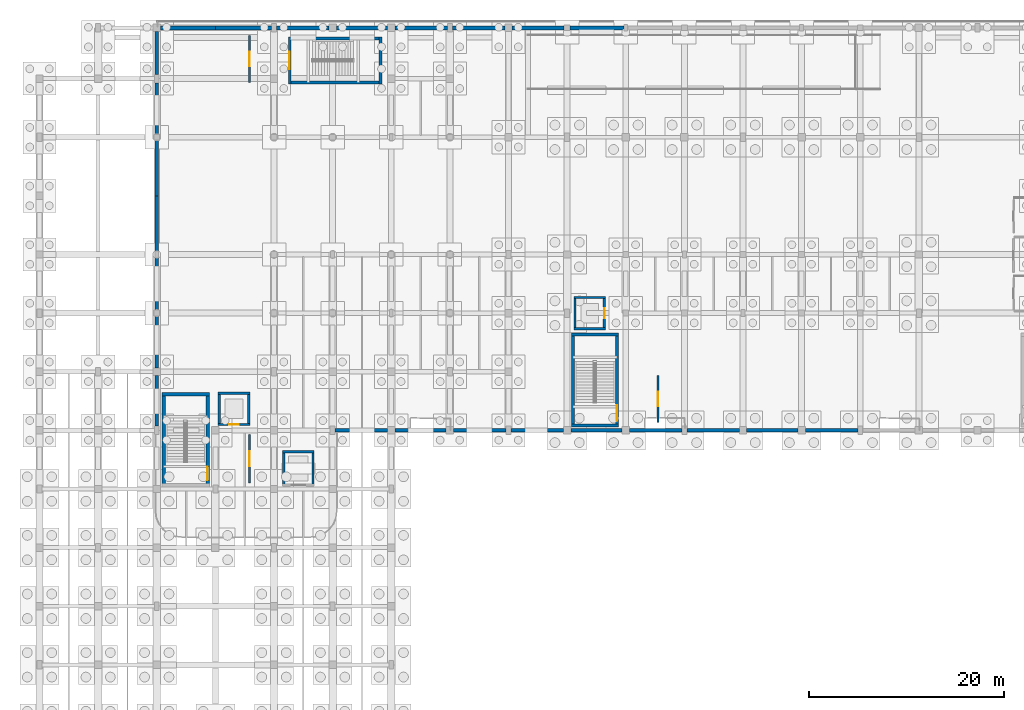
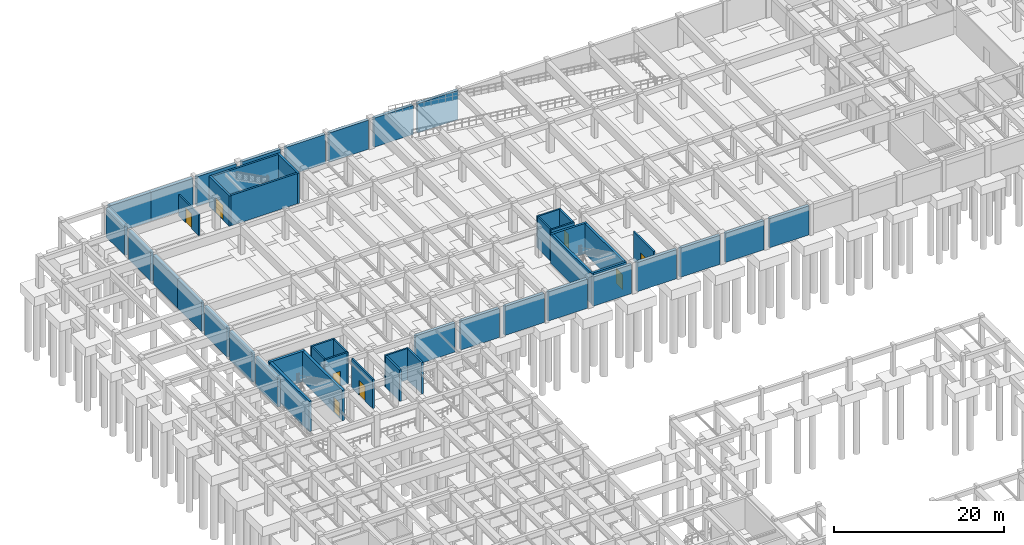
# One storey, part 19 of 32: 49 walls, 8 doors, 8 openings.
"""IFC4 building model written with IfcOpenShell, lengths in metres."""

from ifc_helpers import new_model, si_unit, direction, frame, frame_2d, origin, place, context, subcontext, project, spatial, rectangle, extrude, material, layer, layer_set, type_object, element, fill, save


model = new_model("IFC4")

# Units and contexts
model_context = context("Model", 3, precision=1e-05, world=origin(), true_north=direction((0.0, 1.0)))
body_context = subcontext(model_context, "Body", "Model", "MODEL_VIEW")
ifc_project = project(units=[si_unit("LENGTHUNIT", "METRE"), si_unit("AREAUNIT", "SQUARE_METRE"), si_unit("VOLUMEUNIT", "CUBIC_METRE"), si_unit("PLANEANGLEUNIT", "RADIAN"), si_unit("MASSUNIT", "GRAM", prefix="KILO")], contexts=[model_context])

# Site, building, storey
site_placement = place(None, origin())
site = spatial("IfcSite", under=ifc_project, at=site_placement, CompositionType="ELEMENT")
building_placement = place(site_placement, origin())
building = spatial("IfcBuilding", under=site, at=building_placement, Name="Varnakota Square Police Headquarters", CompositionType="ELEMENT")
storey_placement = place(building_placement, frame((0.0, 0.0, -4.5)))
storey = spatial("IfcBuildingStorey", under=building, at=storey_placement, Name="B1", CompositionType="ELEMENT", Elevation=-4.5)

# Wall, opening, door
ifc_material_1 = material(Name="Concrete M40", Category="concrete")
ifc_layer_1 = layer(ifc_material_1, 0.22998046875, Name="Concrete M40")
ifc_layer_set_1 = layer_set([ifc_layer_1], Name="Concrete M40")
wall_type_1 = type_object("IfcWallType", Name="WL-CORE-230", PredefinedType="SHEAR", material=ifc_layer_set_1)
wall_1_placement = place(storey_placement, frame((24.284912109375, 69.60009765625, 0.0), z_axis=(0.0, 0.0, 1.0), x_axis=(1.0, 0.0, 0.0)))
wall_1 = element("IfcWall", 1, at=wall_1_placement, inside=storey, type_object=wall_type_1, Name="Lift shaft wall LF-P3 B1 S", PredefinedType="SHEAR", context=body_context, shape_type="SweptSolid", body=[
    extrude(rectangle(XDim=3.22998046875, YDim=0.22998046875, at=frame_2d((1.614990234375, 0.0))), origin(), (0.0, 0.0, 1.0), 4.5),
])
opening_1_placement = place(wall_1_placement, frame((1.114990234375, 0.0, 0.0)))
opening_1 = element("IfcOpeningElement", 2, at=opening_1_placement, cuts=wall_1, Name="Opening LD031", PredefinedType="OPENING", context=body_context, shape_type="SweptSolid", body=[
    extrude(rectangle(XDim=1.0, YDim=2.14990234375, at=frame_2d((0.5, 1.074951171875))), frame((0.0, 0.125, 0.0), z_axis=(0.0, -1.0, 0.0), x_axis=(1.0, 0.0, 0.0)), (0.0, 0.0, 1.0), 0.25),
])
ifc_material_2 = material(Name="Brushed Grade 316 Stainless Steel", Category="steel")
door_type_1 = type_object("IfcDoorType", Name="DR-LD-PAX", OperationType="NOTDEFINED", PredefinedType="DOOR", material=ifc_material_2)
door_1_placement = place(opening_1_placement, origin())
door_1 = element("IfcDoor", 3, at=door_1_placement, inside=storey, type_object=door_type_1, Name="Lift sliding landing door LD031", OperationType="SLIDING_TO_LEFT", OverallHeight=2.14990234375, OverallWidth=1.0, PredefinedType="DOOR", context=body_context, shape_type="SweptSolid", body=[
    extrude(rectangle(XDim=1.0, YDim=2.14990234375, at=frame_2d((0.5, 1.074951171875))), frame((0.0, 0.02490234375, 0.0), z_axis=(0.0, -1.0, 0.0), x_axis=(1.0, 0.0, 0.0)), (0.0, 0.0, 1.0), 0.050048828125),
])
fill(opening_1, door_1)

# Walls
wall_2_placement = place(storey_placement, frame((27.39990234375, 69.485107421875, 0.0), z_axis=(0.0, 0.0, 1.0), x_axis=(0.0, 1.0, 0.0)))
element("IfcWall", 4, at=wall_2_placement, inside=storey, type_object=wall_type_1, Name="Lift shaft wall LF-P3 B1 E", PredefinedType="SHEAR", context=body_context, shape_type="SweptSolid", body=[
    extrude(rectangle(XDim=3.429931640625, YDim=0.22998046875, at=frame_2d((1.71484375, 0.0))), origin(), (0.0, 0.0, 1.0), 4.5),
])
wall_3_placement = place(storey_placement, frame((27.514892578125, 72.800048828125, 0.0), z_axis=(0.0, 0.0, 1.0), x_axis=(-1.0, 0.0, 0.0)))
element("IfcWall", 5, at=wall_3_placement, inside=storey, type_object=wall_type_1, Name="Lift shaft wall LF-P3 B1 N", PredefinedType="SHEAR", context=body_context, shape_type="SweptSolid", body=[
    extrude(rectangle(XDim=3.22998046875, YDim=0.22998046875, at=frame_2d((1.614990234375, 0.0))), origin(), (0.0, 0.0, 1.0), 4.5),
])
wall_4_placement = place(storey_placement, frame((24.39990234375, 72.9150390625, 0.0), z_axis=(0.0, 0.0, 1.0), x_axis=(0.0, -1.0, 0.0)))
element("IfcWall", 6, at=wall_4_placement, inside=storey, type_object=wall_type_1, Name="Lift shaft wall LF-P3 B1 W", PredefinedType="SHEAR", context=body_context, shape_type="SweptSolid", body=[
    extrude(rectangle(XDim=3.429931640625, YDim=0.22998046875, at=frame_2d((1.71484375, 0.0))), origin(), (0.0, 0.0, 1.0), 4.5),
])
wall_5_placement = place(storey_placement, frame((60.68505859375, 79.39990234375, 0.0), z_axis=(0.0, 0.0, 1.0), x_axis=(1.0, 0.0, 0.0)))
element("IfcWall", 7, at=wall_5_placement, inside=storey, type_object=wall_type_1, Name="Lift shaft wall LF-P4 B1 S", PredefinedType="SHEAR", context=body_context, shape_type="SweptSolid", body=[
    extrude(rectangle(XDim=3.22998046875, YDim=0.22998046875, at=frame_2d((1.614990234375, 0.0))), origin(), (0.0, 0.0, 1.0), 4.5),
])

# Wall, opening, door
wall_6_placement = place(storey_placement, frame((63.800048828125, 79.284912109375, 0.0), z_axis=(0.0, 0.0, 1.0), x_axis=(0.0, 1.0, 0.0)))
wall_6 = element("IfcWall", 8, at=wall_6_placement, inside=storey, type_object=wall_type_1, Name="Lift shaft wall LF-P4 B1 E", PredefinedType="SHEAR", context=body_context, shape_type="SweptSolid", body=[
    extrude(rectangle(XDim=3.43017578125, YDim=0.22998046875, at=frame_2d((1.715087890625, 0.0))), origin(), (0.0, 0.0, 1.0), 4.5),
])
opening_2_placement = place(wall_6_placement, frame((1.215087890625, 0.0, 0.0)))
opening_2 = element("IfcOpeningElement", 9, at=opening_2_placement, cuts=wall_6, Name="Opening LD038", PredefinedType="OPENING", context=body_context, shape_type="SweptSolid", body=[
    extrude(rectangle(XDim=1.0, YDim=2.14990234375, at=frame_2d((0.5, 1.074951171875))), frame((0.0, 0.125, 0.0), z_axis=(0.0, -1.0, 0.0), x_axis=(1.0, 0.0, 0.0)), (0.0, 0.0, 1.0), 0.25),
])
door_2_placement = place(opening_2_placement, origin())
door_2 = element("IfcDoor", 10, at=door_2_placement, inside=storey, type_object=door_type_1, Name="Lift sliding landing door LD038", OperationType="SLIDING_TO_LEFT", OverallHeight=2.14990234375, OverallWidth=1.0, PredefinedType="DOOR", context=body_context, shape_type="SweptSolid", body=[
    extrude(rectangle(XDim=1.0, YDim=2.14990234375, at=frame_2d((0.5, 1.074951171875))), frame((0.0, 0.02490234375, 0.0), z_axis=(0.0, -1.0, 0.0), x_axis=(1.0, 0.0, 0.0)), (0.0, 0.0, 1.0), 0.050048828125),
])
fill(opening_2, door_2)

# Walls
wall_7_placement = place(storey_placement, frame((63.9150390625, 82.60009765625, 0.0), z_axis=(0.0, 0.0, 1.0), x_axis=(-1.0, 0.0, 0.0)))
element("IfcWall", 11, at=wall_7_placement, inside=storey, type_object=wall_type_1, Name="Lift shaft wall LF-P4 B1 N", PredefinedType="SHEAR", context=body_context, shape_type="SweptSolid", body=[
    extrude(rectangle(XDim=3.22998046875, YDim=0.22998046875, at=frame_2d((1.614990234375, 0.0))), origin(), (0.0, 0.0, 1.0), 4.5),
])
wall_8_placement = place(storey_placement, frame((60.800048828125, 82.715087890625, 0.0), z_axis=(0.0, 0.0, 1.0), x_axis=(0.0, -1.0, 0.0)))
element("IfcWall", 12, at=wall_8_placement, inside=storey, type_object=wall_type_1, Name="Lift shaft wall LF-P4 B1 W", PredefinedType="SHEAR", context=body_context, shape_type="SweptSolid", body=[
    extrude(rectangle(XDim=3.43017578125, YDim=0.22998046875, at=frame_2d((1.715087890625, 0.0))), origin(), (0.0, 0.0, 1.0), 4.5),
])
wall_9_placement = place(storey_placement, frame((34.0, 63.284912109375, 0.0), z_axis=(0.0, 0.0, 1.0), x_axis=(0.0, 1.0, 0.0)))
element("IfcWall", 13, at=wall_9_placement, inside=storey, type_object=wall_type_1, Name="Lift shaft wall LF-G1 B1 E", PredefinedType="SHEAR", context=body_context, shape_type="SweptSolid", body=[
    extrude(rectangle(XDim=3.630126953125, YDim=0.22998046875, at=frame_2d((1.81494140625, 0.0))), origin(), (0.0, 0.0, 1.0), 4.5),
])
wall_10_placement = place(storey_placement, frame((34.114990234375, 66.800048828125, 0.0), z_axis=(0.0, 0.0, 1.0), x_axis=(-1.0, 0.0, 0.0)))
element("IfcWall", 14, at=wall_10_placement, inside=storey, type_object=wall_type_1, Name="Lift shaft wall LF-G1 B1 N", PredefinedType="SHEAR", context=body_context, shape_type="SweptSolid", body=[
    extrude(rectangle(XDim=3.22998046875, YDim=0.22998046875, at=frame_2d((1.614990234375, 0.0))), origin(), (0.0, 0.0, 1.0), 4.5),
])
wall_11_placement = place(storey_placement, frame((31.0, 66.9150390625, 0.0), z_axis=(0.0, 0.0, 1.0), x_axis=(0.0, -1.0, 0.0)))
element("IfcWall", 15, at=wall_11_placement, inside=storey, type_object=wall_type_1, Name="Lift shaft wall LF-G1 B1 W", PredefinedType="SHEAR", context=body_context, shape_type="SweptSolid", body=[
    extrude(rectangle(XDim=3.630126953125, YDim=0.22998046875, at=frame_2d((1.81494140625, 0.0))), origin(), (0.0, 0.0, 1.0), 4.5),
])
ifc_material_3 = material(Name="Concrete M50", Category="concrete")
ifc_layer_2 = layer(ifc_material_3, 0.27001953125, Name="Concrete M50")
ifc_layer_set_2 = layer_set([ifc_layer_2], Name="Concrete M50")
wall_type_2 = type_object("IfcWallType", Name="WL-CORE-270", PredefinedType="SHEAR", material=ifc_layer_set_2)
wall_12_placement = place(storey_placement, frame((31.465087890625, 104.60009765625, 0.0), z_axis=(0.0, 0.0, 1.0), x_axis=(1.0, 0.0, 0.0)))
element("IfcWall", 16, at=wall_12_placement, inside=storey, type_object=wall_type_2, Name="Core C7 shear wall B1 S", PredefinedType="SHEAR", context=body_context, shape_type="SweptSolid", body=[
    extrude(rectangle(XDim=9.56982421875, YDim=0.27001953125, at=frame_2d((4.784912109375, 0.0))), origin(), (0.0, 0.0, 1.0), 4.360107421875),
])
wall_13_placement = place(storey_placement, frame((40.89990234375, 104.465087890625, 0.0), z_axis=(0.0, 0.0, 1.0), x_axis=(0.0, 1.0, 0.0)))
element("IfcWall", 17, at=wall_13_placement, inside=storey, type_object=wall_type_2, Name="Core C7 shear wall B1 E", PredefinedType="SHEAR", context=body_context, shape_type="SweptSolid", body=[
    extrude(rectangle(XDim=4.77001953125, YDim=0.27001953125, at=frame_2d((2.385009765625, 0.0))), origin(), (0.0, 0.0, 1.0), 4.360107421875),
])
wall_14_placement = place(storey_placement, frame((41.034912109375, 109.10009765625, 0.0), z_axis=(0.0, 0.0, 1.0), x_axis=(-1.0, 0.0, 0.0)))
element("IfcWall", 18, at=wall_14_placement, inside=storey, type_object=wall_type_2, Name="Core C7 shear wall B1 N", PredefinedType="SHEAR", context=body_context, shape_type="SweptSolid", body=[
    extrude(rectangle(XDim=9.56982421875, YDim=0.27001953125, at=frame_2d((4.784912109375, 0.0))), origin(), (0.0, 0.0, 1.0), 4.360107421875),
])

# Wall, opening, door
wall_15_placement = place(storey_placement, frame((31.60009765625, 109.235107421875, 0.0), z_axis=(0.0, 0.0, 1.0), x_axis=(0.0, -1.0, 0.0)))
wall_15 = element("IfcWall", 19, at=wall_15_placement, inside=storey, type_object=wall_type_2, Name="Core C7 shear wall B1 W", PredefinedType="SHEAR", context=body_context, shape_type="SweptSolid", body=[
    extrude(rectangle(XDim=4.77001953125, YDim=0.27001953125, at=frame_2d((2.385009765625, 0.0))), origin(), (0.0, 0.0, 1.0), 4.360107421875),
])
opening_3_placement = place(wall_15_placement, frame((1.485107421875, 0.0, 0.0)))
opening_3 = element("IfcOpeningElement", 20, at=opening_3_placement, cuts=wall_15, Name="Opening SD103", PredefinedType="OPENING", context=body_context, shape_type="SweptSolid", body=[
    extrude(rectangle(XDim=1.800048828125, YDim=2.199951171875, at=frame_2d((0.89990234375, 1.10009765625))), frame((0.0, 0.14501953125, 0.0), z_axis=(0.0, -1.0, 0.0), x_axis=(1.0, 0.0, 0.0)), (0.0, 0.0, 1.0), 0.2900390625),
])
ifc_material_4 = material(Name="Powder-Coated Galvanised Steel", Category="steel")
door_type_2 = type_object("IfcDoorType", Name="DR-ST-180", OperationType="NOTDEFINED", PredefinedType="DOOR", material=ifc_material_4)
door_3_placement = place(opening_3_placement, origin())
door_3 = element("IfcDoor", 21, at=door_3_placement, inside=storey, type_object=door_type_2, Name="Protected stair door SD103", OperationType="DOUBLE_DOOR_SINGLE_SWING", OverallHeight=2.199951171875, OverallWidth=1.800048828125, PredefinedType="DOOR", context=body_context, shape_type="SweptSolid", body=[
    extrude(rectangle(XDim=1.800048828125, YDim=2.199951171875, at=frame_2d((0.89990234375, 1.10009765625))), frame((0.0, 0.02490234375, 0.0), z_axis=(0.0, -1.0, 0.0), x_axis=(1.0, 0.0, 0.0)), (0.0, 0.0, 1.0), 0.050048828125),
])
fill(opening_3, door_3)

# Wall
ifc_layer_3 = layer(ifc_material_3, 0.31005859375, Name="Concrete M50")
ifc_layer_set_3 = layer_set([ifc_layer_3], Name="Concrete M50")
wall_type_3 = type_object("IfcWallType", Name="WL-CORE-310", PredefinedType="SHEAR", material=ifc_layer_set_3)
wall_16_placement = place(storey_placement, frame((60.445068359375, 69.5, 0.0), z_axis=(0.0, 0.0, 1.0), x_axis=(1.0, 0.0, 0.0)))
element("IfcWall", 22, at=wall_16_placement, inside=storey, type_object=wall_type_3, Name="Core C6 shear wall B1 S", PredefinedType="SHEAR", context=body_context, shape_type="SweptSolid", body=[
    extrude(rectangle(XDim=4.809814453125, YDim=0.31005859375, at=frame_2d((2.40478515625, 0.0))), origin(), (0.0, 0.0, 1.0), 4.360107421875),
])

# Wall, opening, door
wall_17_placement = place(storey_placement, frame((65.10009765625, 69.344970703125, 0.0), z_axis=(0.0, 0.0, 1.0), x_axis=(0.0, 1.0, 0.0)))
wall_17 = element("IfcWall", 23, at=wall_17_placement, inside=storey, type_object=wall_type_3, Name="Core C6 shear wall B1 E", PredefinedType="SHEAR", context=body_context, shape_type="SweptSolid", body=[
    extrude(rectangle(XDim=9.610107421875, YDim=0.31005859375, at=frame_2d((4.80517578125, 0.0))), origin(), (0.0, 0.0, 1.0), 4.360107421875),
])
opening_4_placement = place(wall_17_placement, frame((0.635009765625, 0.0, 0.0)))
opening_4 = element("IfcOpeningElement", 24, at=opening_4_placement, cuts=wall_17, Name="Opening SD091", PredefinedType="OPENING", context=body_context, shape_type="SweptSolid", body=[
    extrude(rectangle(XDim=1.60009765625, YDim=2.199951171875, at=frame_2d((0.800048828125, 1.10009765625))), frame((0.0, 0.1650390625, 0.0), z_axis=(0.0, -1.0, 0.0), x_axis=(1.0, 0.0, 0.0)), (0.0, 0.0, 1.0), 0.330078125),
])
door_type_3 = type_object("IfcDoorType", Name="DR-ST-160", OperationType="NOTDEFINED", PredefinedType="DOOR", material=ifc_material_4)
door_4_placement = place(opening_4_placement, origin())
door_4 = element("IfcDoor", 25, at=door_4_placement, inside=storey, type_object=door_type_3, Name="Protected stair door SD091", OperationType="DOUBLE_DOOR_SINGLE_SWING", OverallHeight=2.199951171875, OverallWidth=1.60009765625, PredefinedType="DOOR", context=body_context, shape_type="SweptSolid", body=[
    extrude(rectangle(XDim=1.60009765625, YDim=2.199951171875, at=frame_2d((0.800048828125, 1.10009765625))), frame((0.0, 0.02490234375, 0.0), z_axis=(0.0, -1.0, 0.0), x_axis=(1.0, 0.0, 0.0)), (0.0, 0.0, 1.0), 0.050048828125),
])
fill(opening_4, door_4)

# Walls
wall_18_placement = place(storey_placement, frame((65.2548828125, 78.800048828125, 0.0), z_axis=(0.0, 0.0, 1.0), x_axis=(-1.0, 0.0, 0.0)))
element("IfcWall", 26, at=wall_18_placement, inside=storey, type_object=wall_type_3, Name="Core C6 shear wall B1 N", PredefinedType="SHEAR", context=body_context, shape_type="SweptSolid", body=[
    extrude(rectangle(XDim=4.809814453125, YDim=0.31005859375, at=frame_2d((2.40478515625, 0.0))), origin(), (0.0, 0.0, 1.0), 4.360107421875),
])
wall_19_placement = place(storey_placement, frame((60.60009765625, 78.955078125, 0.0), z_axis=(0.0, 0.0, 1.0), x_axis=(0.0, -1.0, 0.0)))
element("IfcWall", 27, at=wall_19_placement, inside=storey, type_object=wall_type_3, Name="Core C6 shear wall B1 W", PredefinedType="SHEAR", context=body_context, shape_type="SweptSolid", body=[
    extrude(rectangle(XDim=9.610107421875, YDim=0.31005859375, at=frame_2d((4.80517578125, 0.0))), origin(), (0.0, 0.0, 1.0), 4.360107421875),
])

# Wall, opening, door
ifc_layer_4 = layer(ifc_material_3, 0.35009765625, Name="Concrete M50")
ifc_layer_set_4 = layer_set([ifc_layer_4], Name="Concrete M50")
wall_type_4 = type_object("IfcWallType", Name="WL-CORE-350", PredefinedType="SHEAR", material=ifc_layer_set_4)
wall_20_placement = place(storey_placement, frame((23.199951171875, 63.22509765625, 0.0), z_axis=(0.0, 0.0, 1.0), x_axis=(0.0, 1.0, 0.0)))
wall_20 = element("IfcWall", 28, at=wall_20_placement, inside=storey, type_object=wall_type_4, Name="Core C5 shear wall B1 E", PredefinedType="SHEAR", context=body_context, shape_type="SweptSolid", body=[
    extrude(rectangle(XDim=9.64990234375, YDim=0.35009765625, at=frame_2d((4.824951171875, 0.0))), origin(), (0.0, 0.0, 1.0), 4.360107421875),
])
opening_5_placement = place(wall_20_placement, frame((0.655029296875, 0.0, 0.0)))
opening_5 = element("IfcOpeningElement", 29, at=opening_5_placement, cuts=wall_20, Name="Opening SD077", PredefinedType="OPENING", context=body_context, shape_type="SweptSolid", body=[
    extrude(rectangle(XDim=1.39990234375, YDim=2.199951171875, at=frame_2d((0.699951171875, 1.10009765625))), frame((0.0, 0.18505859375, 0.0), z_axis=(0.0, -1.0, 0.0), x_axis=(1.0, 0.0, 0.0)), (0.0, 0.0, 1.0), 0.3701171875),
])
door_type_4 = type_object("IfcDoorType", Name="DR-ST-140", OperationType="NOTDEFINED", PredefinedType="DOOR", material=ifc_material_4)
door_5_placement = place(opening_5_placement, origin())
door_5 = element("IfcDoor", 30, at=door_5_placement, inside=storey, type_object=door_type_4, Name="Protected stair door SD077", OperationType="DOUBLE_DOOR_SINGLE_SWING", OverallHeight=2.199951171875, OverallWidth=1.39990234375, PredefinedType="DOOR", context=body_context, shape_type="SweptSolid", body=[
    extrude(rectangle(XDim=1.39990234375, YDim=2.199951171875, at=frame_2d((0.699951171875, 1.10009765625))), frame((0.0, 0.02490234375, 0.0), z_axis=(0.0, -1.0, 0.0), x_axis=(1.0, 0.0, 0.0)), (0.0, 0.0, 1.0), 0.050048828125),
])
fill(opening_5, door_5)

# Walls
wall_21_placement = place(storey_placement, frame((23.375, 72.699951171875, 0.0), z_axis=(0.0, 0.0, 1.0), x_axis=(-1.0, 0.0, 0.0)))
element("IfcWall", 31, at=wall_21_placement, inside=storey, type_object=wall_type_4, Name="Core C5 shear wall B1 N", PredefinedType="SHEAR", context=body_context, shape_type="SweptSolid", body=[
    extrude(rectangle(XDim=4.85009765625, YDim=0.35009765625, at=frame_2d((2.425048828125, 0.0))), origin(), (0.0, 0.0, 1.0), 4.360107421875),
])
wall_22_placement = place(storey_placement, frame((18.699951171875, 72.875, 0.0), z_axis=(0.0, 0.0, 1.0), x_axis=(0.0, -1.0, 0.0)))
element("IfcWall", 32, at=wall_22_placement, inside=storey, type_object=wall_type_4, Name="Core C5 shear wall B1 W", PredefinedType="SHEAR", context=body_context, shape_type="SweptSolid", body=[
    extrude(rectangle(XDim=9.64990234375, YDim=0.35009765625, at=frame_2d((4.824951171875, 0.0))), origin(), (0.0, 0.0, 1.0), 4.360107421875),
])

# Wall, opening, door
ifc_layer_5 = layer(ifc_material_1, 0.215087890625, Name="Concrete M40")
ifc_layer_set_5 = layer_set([ifc_layer_5], Name="Concrete M40")
wall_type_5 = type_object("IfcWallType", Name="WL-PRT-215F", PredefinedType="PARTITIONING", material=ifc_layer_set_5)
wall_23_placement = place(storey_placement, frame((27.5, 63.60009765625, 0.0), z_axis=(0.0, 0.0, 1.0), x_axis=(0.0, 1.0, 0.0)))
wall_23 = element("IfcWall", 33, at=wall_23_placement, inside=storey, type_object=wall_type_5, Name="Core C5 lobby fire partition B1", PredefinedType="PARTITIONING", context=body_context, shape_type="SweptSolid", body=[
    extrude(rectangle(XDim=5.0, YDim=0.215087890625, at=frame_2d((2.5, 0.0))), origin(), (0.0, 0.0, 1.0), 4.18994140625),
])
opening_6_placement = place(wall_23_placement, frame((1.75, 0.0, 0.0)))
opening_6 = element("IfcOpeningElement", 34, at=opening_6_placement, cuts=wall_23, Name="Opening FD084", PredefinedType="OPENING", context=body_context, shape_type="SweptSolid", body=[
    extrude(rectangle(XDim=1.5, YDim=2.14990234375, at=frame_2d((0.75, 1.074951171875))), frame((0.0, 0.117431640625, 0.0), z_axis=(0.0, -1.0, 0.0), x_axis=(1.0, 0.0, 0.0)), (0.0, 0.0, 1.0), 0.235107421875),
])
ifc_material_5 = material(Name="Smoke-Sealed Galvanised Acoustic Steel", Category="steel")
door_type_5 = type_object("IfcDoorType", Name="DR-FFL-150", OperationType="NOTDEFINED", PredefinedType="DOOR", material=ifc_material_5)
door_6_placement = place(opening_6_placement, origin())
door_6 = element("IfcDoor", 35, at=door_6_placement, inside=storey, type_object=door_type_5, Name="Core lobby smoke door FD084", OperationType="DOUBLE_DOOR_SINGLE_SWING", OverallHeight=2.14990234375, OverallWidth=1.5, PredefinedType="DOOR", context=body_context, shape_type="SweptSolid", body=[
    extrude(rectangle(XDim=1.5, YDim=2.14990234375, at=frame_2d((0.75, 1.074951171875))), frame((0.0, 0.02490234375, 0.0), z_axis=(0.0, -1.0, 0.0), x_axis=(1.0, 0.0, 0.0)), (0.0, 0.0, 1.0), 0.050048828125),
])
fill(opening_6, door_6)

wall_24_placement = place(storey_placement, frame((69.300048828125, 69.800048828125, 0.0), z_axis=(0.0, 0.0, 1.0), x_axis=(0.0, 1.0, 0.0)))
wall_24 = element("IfcWall", 36, at=wall_24_placement, inside=storey, type_object=wall_type_5, Name="Core C6 lobby fire partition B1", PredefinedType="PARTITIONING", context=body_context, shape_type="SweptSolid", body=[
    extrude(rectangle(XDim=4.800048828125, YDim=0.215087890625, at=frame_2d((2.39990234375, 0.0))), origin(), (0.0, 0.0, 1.0), 4.18994140625),
])
opening_7_placement = place(wall_24_placement, frame((1.64990234375, 0.0, 0.0)))
opening_7 = element("IfcOpeningElement", 37, at=opening_7_placement, cuts=wall_24, Name="Opening FD097", PredefinedType="OPENING", context=body_context, shape_type="SweptSolid", body=[
    extrude(rectangle(XDim=1.5, YDim=2.14990234375, at=frame_2d((0.75, 1.074951171875))), frame((0.0, 0.117431640625, 0.0), z_axis=(0.0, -1.0, 0.0), x_axis=(1.0, 0.0, 0.0)), (0.0, 0.0, 1.0), 0.235107421875),
])
door_7_placement = place(opening_7_placement, origin())
door_7 = element("IfcDoor", 38, at=door_7_placement, inside=storey, type_object=door_type_5, Name="Core lobby smoke door FD097", OperationType="DOUBLE_DOOR_SINGLE_SWING", OverallHeight=2.14990234375, OverallWidth=1.5, PredefinedType="DOOR", context=body_context, shape_type="SweptSolid", body=[
    extrude(rectangle(XDim=1.5, YDim=2.14990234375, at=frame_2d((0.75, 1.074951171875))), frame((0.0, 0.02490234375, 0.0), z_axis=(0.0, -1.0, 0.0), x_axis=(1.0, 0.0, 0.0)), (0.0, 0.0, 1.0), 0.050048828125),
])
fill(opening_7, door_7)

wall_25_placement = place(storey_placement, frame((27.5, 104.60009765625, 0.0), z_axis=(0.0, 0.0, 1.0), x_axis=(0.0, 1.0, 0.0)))
wall_25 = element("IfcWall", 39, at=wall_25_placement, inside=storey, type_object=wall_type_5, Name="Core C7 lobby fire partition B1", PredefinedType="PARTITIONING", context=body_context, shape_type="SweptSolid", body=[
    extrude(rectangle(XDim=4.7998046875, YDim=0.215087890625, at=frame_2d((2.39990234375, 0.0))), origin(), (0.0, 0.0, 1.0), 2.989990234375),
])
opening_8_placement = place(wall_25_placement, frame((1.64990234375, 0.0, 0.0)))
opening_8 = element("IfcOpeningElement", 40, at=opening_8_placement, cuts=wall_25, Name="Opening FD108", PredefinedType="OPENING", context=body_context, shape_type="SweptSolid", body=[
    extrude(rectangle(XDim=1.5, YDim=2.14990234375, at=frame_2d((0.75, 1.074951171875))), frame((0.0, 0.117431640625, 0.0), z_axis=(0.0, -1.0, 0.0), x_axis=(1.0, 0.0, 0.0)), (0.0, 0.0, 1.0), 0.235107421875),
])
door_8_placement = place(opening_8_placement, origin())
door_8 = element("IfcDoor", 41, at=door_8_placement, inside=storey, type_object=door_type_5, Name="Core lobby smoke door FD108", OperationType="DOUBLE_DOOR_SINGLE_SWING", OverallHeight=2.14990234375, OverallWidth=1.5, PredefinedType="DOOR", context=body_context, shape_type="SweptSolid", body=[
    extrude(rectangle(XDim=1.5, YDim=2.14990234375, at=frame_2d((0.75, 1.074951171875))), frame((0.0, 0.02490234375, 0.0), z_axis=(0.0, -1.0, 0.0), x_axis=(1.0, 0.0, 0.0)), (0.0, 0.0, 1.0), 0.050048828125),
])
fill(opening_8, door_8)

# Walls
ifc_layer_6 = layer(ifc_material_1, 0.3798828125, Name="Concrete M40")
ifc_layer_set_6 = layer_set([ifc_layer_6], Name="Concrete M40")
wall_type_6 = type_object("IfcWallType", Name="WL-RET-380", PredefinedType="SHEAR", material=ifc_layer_set_6)
wall_26_placement = place(storey_placement, frame((36.25390625, 69.0, 0.0), z_axis=(0.0, 0.0, 1.0), x_axis=(1.0, 0.0, 0.0)))
element("IfcWall", 42, at=wall_26_placement, inside=storey, type_object=wall_type_6, Name="Exterior wall EW-B1-0004", PredefinedType="SHEAR", context=body_context, shape_type="SweptSolid", body=[
    extrude(rectangle(XDim=5.3671875, YDim=0.3798828125, at=frame_2d((2.68359375, 0.0))), origin(), (0.0, 0.0, 1.0), 4.195068359375),
])
wall_27_placement = place(storey_placement, frame((42.37890625, 69.0, 0.0), z_axis=(0.0, 0.0, 1.0), x_axis=(1.0, 0.0, 0.0)))
element("IfcWall", 43, at=wall_27_placement, inside=storey, type_object=wall_type_6, Name="Exterior wall EW-B1-0006", PredefinedType="SHEAR", context=body_context, shape_type="SweptSolid", body=[
    extrude(rectangle(XDim=5.2421875, YDim=0.3798828125, at=frame_2d((2.62109375, 0.0))), origin(), (0.0, 0.0, 1.0), 4.195068359375),
])
for number, where, z_axis, x_axis, name in (
    (44, (48.37890625, 69.0, 0.0), (0.0, 0.0, 1.0), (1.0, 0.0, 0.0), "Exterior wall EW-B1-0008"),
    (45, (54.25390625, 69.0, 0.0), (0.0, 0.0, 1.0), (1.0, 0.0, 0.0), "Exterior wall EW-B1-0010"),
):
    element("IfcWall", number, at=place(storey_placement, frame(where, z_axis=z_axis, x_axis=x_axis)), inside=storey, type_object=wall_type_6, Name=name, PredefinedType="SHEAR", context=body_context, shape_type="SweptSolid", body=[
        extrude(rectangle(XDim=5.3671875, YDim=0.3798828125, at=frame_2d((2.68359375, 0.0))), origin(), (0.0, 0.0, 1.0), 4.195068359375),
    ])
wall_28_placement = place(storey_placement, frame((60.37890625, 69.0, 0.0), z_axis=(0.0, 0.0, 1.0), x_axis=(1.0, 0.0, 0.0)))
element("IfcWall", 46, at=wall_28_placement, inside=storey, type_object=wall_type_6, Name="Exterior wall EW-B1-0012", PredefinedType="SHEAR", context=body_context, shape_type="SweptSolid", body=[
    extrude(rectangle(XDim=5.2421875, YDim=0.3798828125, at=frame_2d((2.62109375, 0.0))), origin(), (0.0, 0.0, 1.0), 4.195068359375),
])
for number, where, z_axis, x_axis, name in (
    (47, (66.37890625, 69.0, 0.0), (0.0, 0.0, 1.0), (1.0, 0.0, 0.0), "Exterior wall EW-B1-0014"),
    (48, (72.25390625, 69.0, 0.0), (0.0, 0.0, 1.0), (1.0, 0.0, 0.0), "Exterior wall EW-B1-0016"),
):
    element("IfcWall", number, at=place(storey_placement, frame(where, z_axis=z_axis, x_axis=x_axis)), inside=storey, type_object=wall_type_6, Name=name, PredefinedType="SHEAR", context=body_context, shape_type="SweptSolid", body=[
        extrude(rectangle(XDim=5.3671875, YDim=0.3798828125, at=frame_2d((2.68359375, 0.0))), origin(), (0.0, 0.0, 1.0), 4.195068359375),
    ])
wall_29_placement = place(storey_placement, frame((78.37890625, 69.0, 0.0), z_axis=(0.0, 0.0, 1.0), x_axis=(1.0, 0.0, 0.0)))
element("IfcWall", 49, at=wall_29_placement, inside=storey, type_object=wall_type_6, Name="Exterior wall EW-B1-0018", PredefinedType="SHEAR", context=body_context, shape_type="SweptSolid", body=[
    extrude(rectangle(XDim=5.2421875, YDim=0.3798828125, at=frame_2d((2.62109375, 0.0))), origin(), (0.0, 0.0, 1.0), 4.195068359375),
])
wall_30_placement = place(storey_placement, frame((84.37890625, 69.0, 0.0), z_axis=(0.0, 0.0, 1.0), x_axis=(1.0, 0.0, 0.0)))
element("IfcWall", 50, at=wall_30_placement, inside=storey, type_object=wall_type_6, Name="Exterior wall EW-B1-0020", PredefinedType="SHEAR", context=body_context, shape_type="SweptSolid", body=[
    extrude(rectangle(XDim=5.3671875, YDim=0.3798828125, at=frame_2d((2.68359375, 0.0))), origin(), (0.0, 0.0, 1.0), 4.195068359375),
])
wall_31_placement = place(storey_placement, frame((18.0, 69.428955078125, 0.0), z_axis=(0.0, 0.0, 1.0), x_axis=(0.0, 1.0, 0.0)))
element("IfcWall", 51, at=wall_31_placement, inside=storey, type_object=wall_type_6, Name="Exterior wall EW-B1-0042", PredefinedType="SHEAR", context=body_context, shape_type="SweptSolid", body=[
    extrude(rectangle(XDim=5.192138671875, YDim=0.3798828125, at=frame_2d((2.59619140625, 0.0))), origin(), (0.0, 0.0, 1.0), 4.195068359375),
])
wall_32_placement = place(storey_placement, frame((18.0, 75.37890625, 0.0), z_axis=(0.0, 0.0, 1.0), x_axis=(0.0, 1.0, 0.0)))
element("IfcWall", 52, at=wall_32_placement, inside=storey, type_object=wall_type_6, Name="Exterior wall EW-B1-0044", PredefinedType="SHEAR", context=body_context, shape_type="SweptSolid", body=[
    extrude(rectangle(XDim=5.317138671875, YDim=0.3798828125, at=frame_2d((2.65869140625, 0.0))), origin(), (0.0, 0.0, 1.0), 4.195068359375),
])
wall_33_placement = place(storey_placement, frame((18.0, 81.303955078125, 0.0), z_axis=(0.0, 0.0, 1.0), x_axis=(0.0, 1.0, 0.0)))
element("IfcWall", 53, at=wall_33_placement, inside=storey, type_object=wall_type_6, Name="Exterior wall EW-B1-0046", PredefinedType="SHEAR", context=body_context, shape_type="SweptSolid", body=[
    extrude(rectangle(XDim=5.342041015625, YDim=0.3798828125, at=frame_2d((2.6708984375, 0.0))), origin(), (0.0, 0.0, 1.0), 4.195068359375),
])
wall_34_placement = place(storey_placement, frame((18.0, 87.35400390625, 0.0), z_axis=(0.0, 0.0, 1.0), x_axis=(0.0, 1.0, 0.0)))
element("IfcWall", 54, at=wall_34_placement, inside=storey, type_object=wall_type_6, Name="Exterior wall EW-B1-0048", PredefinedType="SHEAR", context=body_context, shape_type="SweptSolid", body=[
    extrude(rectangle(XDim=5.64599609375, YDim=0.3798828125, at=frame_2d((2.822998046875, 0.0))), origin(), (0.0, 0.0, 1.0), 4.195068359375),
])
wall_35_placement = place(storey_placement, frame((18.0, 93.0, 0.0), z_axis=(0.0, 0.0, 1.0), x_axis=(0.0, 1.0, 0.0)))
element("IfcWall", 55, at=wall_35_placement, inside=storey, type_object=wall_type_6, Name="Exterior wall EW-B1-0050", PredefinedType="SHEAR", context=body_context, shape_type="SweptSolid", body=[
    extrude(rectangle(XDim=5.696044921875, YDim=0.3798828125, at=frame_2d((2.84814453125, 0.0))), origin(), (0.0, 0.0, 1.0), 4.195068359375),
])
wall_36_placement = place(storey_placement, frame((18.0, 99.303955078125, 0.0), z_axis=(0.0, 0.0, 1.0), x_axis=(0.0, 1.0, 0.0)))
element("IfcWall", 56, at=wall_36_placement, inside=storey, type_object=wall_type_6, Name="Exterior wall EW-B1-0052", PredefinedType="SHEAR", context=body_context, shape_type="SweptSolid", body=[
    extrude(rectangle(XDim=5.26708984375, YDim=0.3798828125, at=frame_2d((2.633544921875, 0.0))), origin(), (0.0, 0.0, 1.0), 4.195068359375),
])
wall_37_placement = place(storey_placement, frame((18.0, 105.428955078125, 0.0), z_axis=(0.0, 0.0, 1.0), x_axis=(0.0, 1.0, 0.0)))
element("IfcWall", 57, at=wall_37_placement, inside=storey, type_object=wall_type_6, Name="Exterior wall EW-B1-0054", PredefinedType="SHEAR", context=body_context, shape_type="SweptSolid", body=[
    extrude(rectangle(XDim=4.39208984375, YDim=0.3798828125, at=frame_2d((2.196044921875, 0.0))), origin(), (0.0, 0.0, 1.0), 4.195068359375),
])
ifc_layer_7 = layer(ifc_material_3, 0.419921875, Name="Concrete M50")
ifc_layer_set_7 = layer_set([ifc_layer_7], Name="Concrete M50")
wall_type_7 = type_object("IfcWallType", Name="WL-RET-420", PredefinedType="SHEAR", material=ifc_layer_set_7)
wall_38_placement = place(storey_placement, frame((18.37890625, 110.199951171875, 0.0), z_axis=(0.0, 0.0, 1.0), x_axis=(1.0, 0.0, 0.0)))
element("IfcWall", 58, at=wall_38_placement, inside=storey, type_object=wall_type_7, Name="Exterior wall EW-B1-0001", PredefinedType="SHEAR", context=body_context, shape_type="SweptSolid", body=[
    extrude(rectangle(XDim=5.62109375, YDim=0.419921875, at=frame_2d((2.810546875, 0.0))), origin(), (0.0, 0.0, 1.0), 4.195068359375),
])
wall_39_placement = place(storey_placement, frame((24.0, 110.199951171875, 0.0), z_axis=(0.0, 0.0, 1.0), x_axis=(1.0, 0.0, 0.0)))
element("IfcWall", 59, at=wall_39_placement, inside=storey, type_object=wall_type_7, Name="Exterior wall EW-B1-0002", PredefinedType="SHEAR", context=body_context, shape_type="SweptSolid", body=[
    extrude(rectangle(XDim=5.74609375, YDim=0.419921875, at=frame_2d((2.873046875, 0.0))), origin(), (0.0, 0.0, 1.0), 4.195068359375),
])
wall_40_placement = place(storey_placement, frame((30.25390625, 110.199951171875, 0.0), z_axis=(0.0, 0.0, 1.0), x_axis=(1.0, 0.0, 0.0)))
element("IfcWall", 60, at=wall_40_placement, inside=storey, type_object=wall_type_7, Name="Exterior wall EW-B1-0003", PredefinedType="SHEAR", context=body_context, shape_type="SweptSolid", body=[
    extrude(rectangle(XDim=5.3671875, YDim=0.419921875, at=frame_2d((2.68359375, 0.0))), origin(), (0.0, 0.0, 1.0), 4.195068359375),
])
wall_41_placement = place(storey_placement, frame((36.37890625, 110.199951171875, 0.0), z_axis=(0.0, 0.0, 1.0), x_axis=(1.0, 0.0, 0.0)))
element("IfcWall", 61, at=wall_41_placement, inside=storey, type_object=wall_type_7, Name="Exterior wall EW-B1-0005", PredefinedType="SHEAR", context=body_context, shape_type="SweptSolid", body=[
    extrude(rectangle(XDim=5.2421875, YDim=0.419921875, at=frame_2d((2.62109375, 0.0))), origin(), (0.0, 0.0, 1.0), 4.195068359375),
])
for number, where, z_axis, x_axis, name in (
    (62, (42.37890625, 110.199951171875, 0.0), (0.0, 0.0, 1.0), (1.0, 0.0, 0.0), "Exterior wall EW-B1-0007"),
    (63, (48.25390625, 110.199951171875, 0.0), (0.0, 0.0, 1.0), (1.0, 0.0, 0.0), "Exterior wall EW-B1-0009"),
):
    element("IfcWall", number, at=place(storey_placement, frame(where, z_axis=z_axis, x_axis=x_axis)), inside=storey, type_object=wall_type_7, Name=name, PredefinedType="SHEAR", context=body_context, shape_type="SweptSolid", body=[
        extrude(rectangle(XDim=5.3671875, YDim=0.419921875, at=frame_2d((2.68359375, 0.0))), origin(), (0.0, 0.0, 1.0), 4.195068359375),
    ])
wall_42_placement = place(storey_placement, frame((54.37890625, 110.199951171875, 0.0), z_axis=(0.0, 0.0, 1.0), x_axis=(1.0, 0.0, 0.0)))
element("IfcWall", 64, at=wall_42_placement, inside=storey, type_object=wall_type_7, Name="Exterior wall EW-B1-0011", PredefinedType="SHEAR", context=body_context, shape_type="SweptSolid", body=[
    extrude(rectangle(XDim=5.317138671875, YDim=0.419921875, at=frame_2d((2.65869140625, 0.0))), origin(), (0.0, 0.0, 1.0), 4.195068359375),
])
wall_43_placement = place(storey_placement, frame((60.303955078125, 110.199951171875, 0.0), z_axis=(0.0, 0.0, 1.0), x_axis=(1.0, 0.0, 0.0)))
element("IfcWall", 65, at=wall_43_placement, inside=storey, type_object=wall_type_7, Name="Exterior wall EW-B1-0013", PredefinedType="SHEAR", context=body_context, shape_type="SweptSolid", body=[
    extrude(rectangle(XDim=5.491943359375, YDim=0.419921875, at=frame_2d((2.74609375, 0.0))), origin(), (0.0, 0.0, 1.0), 4.195068359375),
])

save(model, "model.ifc")
